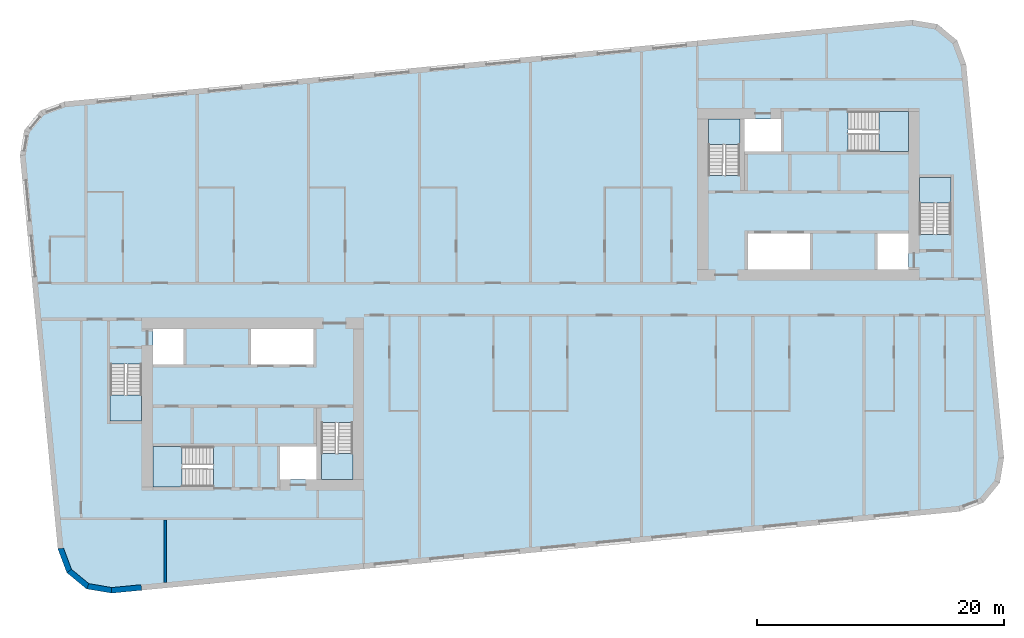
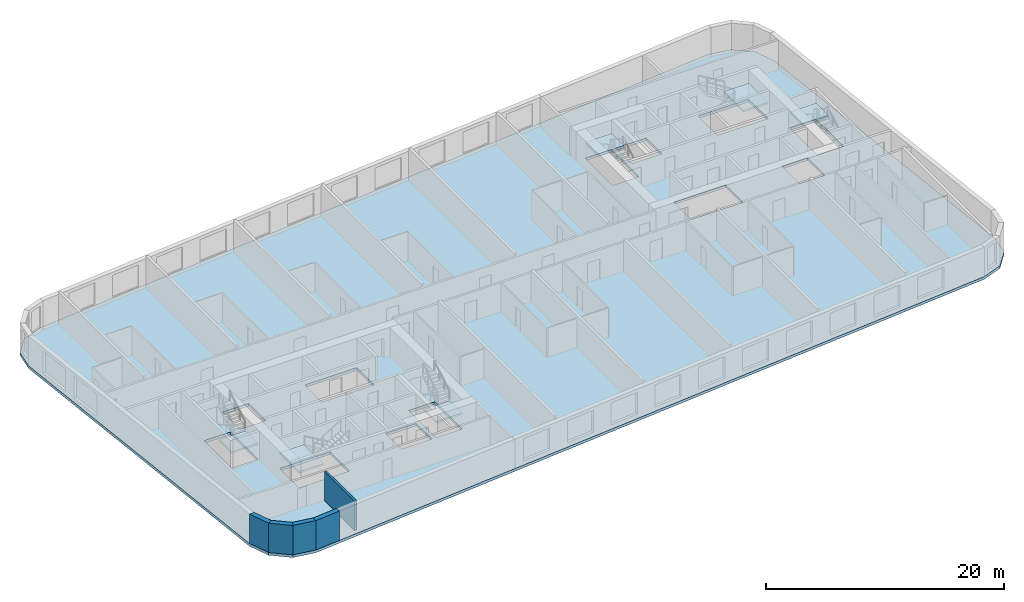
# One storey, part 1 of 11: 7 slabs, 5 walls, 6 elements without a shape of their own.
"""IFC4 building model written with IfcOpenShell, lengths in metres."""

import ifcopenshell
import ifcopenshell.guid

model = None  # the IFC model being written
_history = None  # IfcOwnerHistory: only IFC2X3 demands one
_inside = {}  # id of a spatial element -> (the spatial element, [elements in it])
_under = {}  # id of a project, library or spatial element -> (it, [spatial elements below it])
_declared = {}  # id of a project -> (the project, [libraries it declares])
_typed = {}  # id of a type object -> (the type object, [elements of that type])
_made_of = {}  # id of a material, layer set ... -> (it, [elements and type objects made of it])


def new_model(schema):
    """Start an empty IFC model of exactly this schema.

    Asked for "IFC4X3", IfcOpenShell would pick the latest addendum, in which some entities
    have other attributes; the version numbers below select the first issue.
    IFC2X3 requires an IfcOwnerHistory on every rooted entity: one is made here for all.
    """
    global model, _history
    if schema == "IFC4X3":
        model = ifcopenshell.file(schema_version=(4, 3, 0, 0))
    else:
        model = ifcopenshell.file(schema=schema)
    _inside.clear()
    _under.clear()
    _declared.clear()
    _typed.clear()
    _made_of.clear()
    _history = None
    if model.schema == "IFC2X3":
        org = make("IfcOrganization", Name="unknown")
        user = make(
            "IfcPersonAndOrganization",
            ThePerson=make("IfcPerson", FamilyName="unknown"),
            TheOrganization=org,
        )
        app = make(
            "IfcApplication",
            ApplicationDeveloper=org,
            Version="unknown",
            ApplicationFullName="unknown",
            ApplicationIdentifier="unknown",
        )
        _history = make(
            "IfcOwnerHistory",
            OwningUser=user,
            OwningApplication=app,
            ChangeAction="ADDED",
            CreationDate=0,
        )
    return model


def make(cls, **values):
    """One entity of the class cls with the attributes given. An attribute that is None is left unset."""
    return model.create_entity(
        cls, **{name: value for name, value in values.items() if value is not None}
    )


def rooted(cls, **values):
    """An entity with a GlobalId (a new one), such as an element, a storey or a relation."""
    return make(cls, GlobalId=ifcopenshell.guid.new(), OwnerHistory=_history, **values)


def si_unit(unit_type, name, prefix=None):
    """IfcSIUnit, for example si_unit("LENGTHUNIT", "METRE", prefix="MILLI")."""
    return make("IfcSIUnit", UnitType=unit_type, Prefix=prefix, Name=name)


def assignment(units):
    """IfcUnitAssignment: the units of a project."""
    return None if units is None else make("IfcUnitAssignment", Units=units)


def point(xyz):
    """IfcCartesianPoint."""
    return None if xyz is None else make("IfcCartesianPoint", Coordinates=xyz)


def direction(xyz):
    """IfcDirection."""
    return None if xyz is None else make("IfcDirection", DirectionRatios=xyz)


def frame(location, z_axis=None, x_axis=None):
    """IfcAxis2Placement3D, a coordinate frame: its origin and axes. An axis left out is left unset."""
    return make(
        "IfcAxis2Placement3D",
        Location=point(location),
        Axis=direction(z_axis),
        RefDirection=direction(x_axis),
    )


def frame_2d(location, x_axis=None):
    """IfcAxis2Placement2D, a coordinate frame in the plane: its origin and x axis."""
    return make(
        "IfcAxis2Placement2D", Location=point(location), RefDirection=direction(x_axis)
    )


def origin():
    """The frame at (0, 0, 0) with its axes left unset."""
    return frame((0.0, 0.0, 0.0))


def place(relative_to, where):
    """IfcLocalPlacement: puts the frame where relative to a parent placement (None: the world)."""
    return make(
        "IfcLocalPlacement", PlacementRelTo=relative_to, RelativePlacement=where
    )


def context(
    kind, dimensions, precision=None, world=None, true_north=None, identifier=None
):
    """IfcGeometricRepresentationContext, for example the 3D "Model" context."""
    return make(
        "IfcGeometricRepresentationContext",
        ContextIdentifier=identifier,
        ContextType=kind,
        CoordinateSpaceDimension=dimensions,
        Precision=precision,
        WorldCoordinateSystem=world,
        TrueNorth=true_north,
    )


def subcontext(parent, identifier, kind, view, scale=None):
    """IfcGeometricRepresentationSubContext, for example "Body" below "Model"."""
    return make(
        "IfcGeometricRepresentationSubContext",
        ContextIdentifier=identifier,
        ContextType=kind,
        ParentContext=parent,
        TargetScale=scale,
        TargetView=view,
    )


def project(units=None, contexts=None):
    """IfcProject with its units and contexts."""
    return rooted(
        "IfcProject",
        Name="project",
        RepresentationContexts=contexts,
        UnitsInContext=assignment(units),
    )


def spatial(cls, under=None, at=None, **own):
    """A site, building, storey or space (cls), placed at a placement, below another one or the project."""
    s = rooted(cls, ObjectPlacement=at, **own)
    if under is not None:
        _under.setdefault(under.id(), (under, []))[1].append(s)
    return s


def polyline(points):
    """IfcPolyline through the points."""
    return make("IfcPolyline", Points=[point(p) for p in points])


def profile(cls, at=None, kind="AREA", **sizes):
    """A parametric profile (cls). Its sizes go by their IFC names, for example OverallWidth=200.0."""
    return make(cls, ProfileType=kind, Position=at, **sizes)


def rectangle(**sizes):
    """IfcRectangleProfileDef."""
    return profile("IfcRectangleProfileDef", **sizes)


def outline(outer, holes=None, kind="AREA"):
    """IfcArbitraryClosedProfileDef: a profile drawn as a closed curve; with holes, ...WithVoids."""
    if holes is None:
        return make("IfcArbitraryClosedProfileDef", ProfileType=kind, OuterCurve=outer)
    return make(
        "IfcArbitraryProfileDefWithVoids",
        ProfileType=kind,
        OuterCurve=outer,
        InnerCurves=holes,
    )


def extrude(swept, where, along, depth):
    """IfcExtrudedAreaSolid: the profile swept, set in the frame where, extruded along a direction by depth."""
    return make(
        "IfcExtrudedAreaSolid",
        SweptArea=swept,
        Position=where,
        ExtrudedDirection=direction(along),
        Depth=depth,
    )


def shape(context_of_items, identifier, shape_type, items):
    """IfcShapeRepresentation: the items that make up one representation, for example the "Body"."""
    return make(
        "IfcShapeRepresentation",
        ContextOfItems=context_of_items,
        RepresentationIdentifier=identifier,
        RepresentationType=shape_type,
        Items=items,
    )


def material(Name=None, Category=None):
    """IfcMaterial."""
    return make("IfcMaterial", Name=Name, Category=Category)


def layer(
    of_material, thickness, ventilated=None, Name=None, Category=None, Priority=None
):
    """IfcMaterialLayer: one layer of a wall or slab, of a material (None: an air gap)."""
    return make(
        "IfcMaterialLayer",
        Material=of_material,
        LayerThickness=thickness,
        IsVentilated=ventilated,
        Name=Name,
        Category=Category,
        Priority=Priority,
    )


def layer_set(layers, Name=None):
    """IfcMaterialLayerSet."""
    return make("IfcMaterialLayerSet", MaterialLayers=layers, LayerSetName=Name)


def made_of(thing, what):
    """Note that an element or type object is made of a material, layer set ...; save() writes the relation."""
    if what is not None:
        _made_of.setdefault(what.id(), (what, []))[1].append(thing)
    return thing


def type_object(cls, material=None, **own):
    """A type object (cls), such as IfcWallType, which elements share."""
    return made_of(rooted(cls, **own), material)


def element(
    cls,
    number,
    at=None,
    inside=None,
    cuts=None,
    type_object=None,
    material=None,
    context=None,
    identifier="Body",
    shape_type=None,
    held_by="IfcProductDefinitionShape",
    body=None,
    shapes=None,
    **own,
):
    """One element of the class cls, such as IfcWall. Its Tag is "e" and its number.

    at: its placement. inside: the storey or other place that contains it. cuts: it is an
    opening in that element (IfcRelVoidsElement). A single representation is given by context,
    identifier, shape_type and body (its items); several are given by shapes. held_by: the class
    of the entity that holds the representations. save() writes the other relations.
    """
    e = rooted(cls, Tag="e%d" % number, ObjectPlacement=at, **own)
    if body is not None:
        shapes = [shape(context, identifier, shape_type, body)]
    if shapes is not None:
        e.Representation = make(held_by, Representations=shapes)
    if inside is not None:
        _inside.setdefault(inside.id(), (inside, []))[1].append(e)
    if cuts is not None:
        rooted(
            "IfcRelVoidsElement", RelatingBuildingElement=cuts, RelatedOpeningElement=e
        )
    if type_object is not None:
        _typed.setdefault(type_object.id(), (type_object, []))[1].append(e)
    return made_of(e, material)


def aggregate(whole, parts):
    """IfcRelAggregates: a whole, such as a stair, and the parts it consists of."""
    return rooted("IfcRelAggregates", RelatingObject=whole, RelatedObjects=parts)


def save(model, path):
    """Write the relations noted so far, then the file.

    IfcRelAggregates (storeys below a building ...), IfcRelContainedInSpatialStructure (elements
    in a storey), IfcRelDefinesByType, IfcRelAssociatesMaterial and IfcRelDeclares: one each for
    every whole, place, type object, material and project.
    """
    for whole, parts in _under.values():
        aggregate(whole, parts)
    for where, things in _inside.values():
        rooted(
            "IfcRelContainedInSpatialStructure",
            RelatedElements=things,
            RelatingStructure=where,
        )
    for kind, things in _typed.values():
        rooted("IfcRelDefinesByType", RelatedObjects=things, RelatingType=kind)
    for what, things in _made_of.values():
        rooted("IfcRelAssociatesMaterial", RelatedObjects=things, RelatingMaterial=what)
    for by, libraries in _declared.values():
        rooted("IfcRelDeclares", RelatingContext=by, RelatedDefinitions=libraries)
    model.write(path)


model = new_model("IFC4")

# Units and contexts
model_context = context("Model", 3, precision=1e-05, world=origin(), true_north=direction((0.0, 1.0)))
body_context = subcontext(model_context, "Body", "Model", "MODEL_VIEW")
ifc_project = project(units=[si_unit("LENGTHUNIT", "METRE"), si_unit("AREAUNIT", "SQUARE_METRE"), si_unit("VOLUMEUNIT", "CUBIC_METRE"), si_unit("PLANEANGLEUNIT", "RADIAN"), si_unit("MASSUNIT", "GRAM", prefix="KILO")], contexts=[model_context])

# Site, building, storey
site_placement = place(None, origin())
site = spatial("IfcSite", under=ifc_project, at=site_placement, CompositionType="ELEMENT")
building_placement = place(site_placement, origin())
building = spatial("IfcBuilding", under=site, at=building_placement, Name="Kajstack Hotel Tower", CompositionType="ELEMENT")
storey_placement = place(building_placement, frame((0.0, 0.0, 275.10009765625)))
storey = spatial("IfcBuildingStorey", under=building, at=storey_placement, Name="L68", CompositionType="ELEMENT", Elevation=275.10009765625)

# Slab
ifc_material_1 = material(Name="Concrete C40/50", Category="concrete")
ifc_layer_1 = layer(ifc_material_1, 0.280029296875)
ifc_layer_set_1 = layer_set([ifc_layer_1], Name="RC slab 280 C40/50 guest")
slab_type_1 = type_object("IfcSlabType", Name="RC slab 280 C40/50 guest", PredefinedType="FLOOR", material=ifc_layer_set_1)
slab_1_placement = place(storey_placement, frame((0.0, 0.0, -0.280029296875)))
element("IfcSlab", 1, at=slab_1_placement, inside=storey, type_object=slab_type_1, Name="S-slab-L68", PredefinedType="FLOOR", context=body_context, shape_type="SweptSolid", body=[
    extrude(outline(polyline([(-41.356201171875, 11.63623046875), (-38.289306640625, -20.21630859375), (-37.564208984375, -22.15576171875), (-35.96630859375, -23.472900390625), (-33.92431640625, -23.814697265625), (34.758056640625, -17.201171875), (36.697509765625, -16.47607421875), (38.014404296875, -14.87841796875), (38.356201171875, -12.836181640625), (35.289306640625, 19.016357421875), (34.564208984375, 20.955810546875), (32.96630859375, 22.27294921875), (30.92431640625, 22.614501953125), (-37.758056640625, 16.001220703125), (-39.697509765625, 15.276123046875), (-41.014404296875, 13.678466796875), (-41.356201171875, 11.63623046875)]), holes=[polyline([(-22.64990234375, -5.300048828125), (-22.64990234375, -2.39990234375), (-17.60009765625, -2.39990234375), (-17.60009765625, -5.300048828125), (-22.64990234375, -5.300048828125)]), polyline([(-20.300048828125, -14.60009765625), (-17.35009765625, -14.60009765625), (-17.35009765625, -11.949951171875), (-20.300048828125, -11.949951171875), (-20.300048828125, -14.60009765625)]), polyline([(-30.60009765625, -5.300048828125), (-28.10009765625, -5.300048828125), (-28.10009765625, -2.39990234375), (-30.60009765625, -2.39990234375), (-30.60009765625, -5.300048828125)]), polyline([(17.60009765625, 2.39990234375), (17.60009765625, 5.300048828125), (22.64990234375, 5.300048828125), (22.64990234375, 2.39990234375), (17.60009765625, 2.39990234375)]), polyline([(20.300048828125, 14.60009765625), (17.35009765625, 14.60009765625), (17.35009765625, 11.949951171875), (20.300048828125, 11.949951171875), (20.300048828125, 14.60009765625)]), polyline([(30.60009765625, 5.300048828125), (28.10009765625, 5.300048828125), (28.10009765625, 2.39990234375), (30.60009765625, 2.39990234375), (30.60009765625, 5.300048828125)]), polyline([(-34.050048828125, -9.85009765625), (-31.5, -9.85009765625), (-31.5, -5.25), (-34.050048828125, -5.25), (-34.050048828125, -9.85009765625)]), polyline([(-16.949951171875, -14.60009765625), (-14.39990234375, -14.60009765625), (-14.39990234375, -10.0), (-16.949951171875, -10.0), (-16.949951171875, -14.60009765625)]), polyline([(-30.60009765625, -15.199951171875), (-25.699951171875, -15.199951171875), (-25.699951171875, -11.949951171875), (-30.60009765625, -11.949951171875), (-30.60009765625, -15.199951171875)]), polyline([(34.050048828125, 9.85009765625), (31.5, 9.85009765625), (31.5, 5.25), (34.050048828125, 5.25), (34.050048828125, 9.85009765625)]), polyline([(16.949951171875, 14.60009765625), (14.39990234375, 14.60009765625), (14.39990234375, 10.0), (16.949951171875, 10.0), (16.949951171875, 14.60009765625)]), polyline([(30.60009765625, 15.199951171875), (25.699951171875, 15.199951171875), (25.699951171875, 11.949951171875), (30.60009765625, 11.949951171875), (30.60009765625, 15.199951171875)])]), origin(), (0.0, 0.0, 1.0), 0.280029296875),
])

# Stair, slab
stair_type_1 = type_object("IfcStairType", Name="Exit stair 1200", PredefinedType="HALF_TURN_STAIR", material=ifc_material_1)
stair_1_placement = place(storey_placement, origin())
stair_1 = element("IfcStair", 2, at=stair_1_placement, inside=storey, type_object=stair_type_1, Name="L68 stair W1", PredefinedType="HALF_TURN_STAIR")
ifc_layer_2 = layer(ifc_material_1, 0.199951171875)
ifc_layer_set_2 = layer_set([ifc_layer_2], Name="Stair landing 200")
slab_type_2 = type_object("IfcSlabType", Name="Stair landing 200", PredefinedType="LANDING", material=ifc_layer_set_2)
slab_2_placement = place(storey_placement, frame((0.0, 0.0, 1.449951171875)))
slab_2 = element("IfcSlab", 3, at=slab_2_placement, type_object=slab_type_2, Name="W1 landing 1", PredefinedType="LANDING", context=body_context, shape_type="SweptSolid", body=[
    extrude(outline(polyline([(-34.050048828125, -7.77001953125), (-34.050048828125, -9.85009765625), (-31.5, -9.85009765625), (-31.5, -7.77001953125), (-34.050048828125, -7.77001953125)])), origin(), (0.0, 0.0, 1.0), 0.199951171875),
])
aggregate(stair_1, [slab_2])

stair_2_placement = place(storey_placement, origin())
stair_2 = element("IfcStair", 4, at=stair_2_placement, inside=storey, type_object=stair_type_1, Name="L68 stair W2", PredefinedType="HALF_TURN_STAIR")
slab_3_placement = place(storey_placement, frame((0.0, 0.0, 1.449951171875)))
slab_3 = element("IfcSlab", 5, at=slab_3_placement, type_object=slab_type_2, Name="W2 landing 1", PredefinedType="LANDING", context=body_context, shape_type="SweptSolid", body=[
    extrude(outline(polyline([(-16.949951171875, -12.52001953125), (-16.949951171875, -14.60009765625), (-14.39990234375, -14.60009765625), (-14.39990234375, -12.52001953125), (-16.949951171875, -12.52001953125)])), origin(), (0.0, 0.0, 1.0), 0.199951171875),
])
aggregate(stair_2, [slab_3])

stair_type_2 = type_object("IfcStairType", Name="Exit stair 1500", PredefinedType="HALF_TURN_STAIR", material=ifc_material_1)
stair_3_placement = place(storey_placement, origin())
stair_3 = element("IfcStair", 6, at=stair_3_placement, inside=storey, type_object=stair_type_2, Name="L68 stair W3", PredefinedType="HALF_TURN_STAIR")
slab_4_placement = place(storey_placement, frame((0.0, 0.0, 1.449951171875)))
slab_4 = element("IfcSlab", 7, at=slab_4_placement, type_object=slab_type_2, Name="W3 landing 1", PredefinedType="LANDING", context=body_context, shape_type="SweptSolid", body=[
    extrude(outline(polyline([(-28.219970703125, -11.949951171875), (-30.60009765625, -11.949951171875), (-30.60009765625, -15.199951171875), (-28.219970703125, -15.199951171875), (-28.219970703125, -11.949951171875)])), origin(), (0.0, 0.0, 1.0), 0.199951171875),
])
aggregate(stair_3, [slab_4])

stair_4_placement = place(storey_placement, origin())
stair_4 = element("IfcStair", 8, at=stair_4_placement, inside=storey, type_object=stair_type_1, Name="L68 stair E1", PredefinedType="HALF_TURN_STAIR")
slab_5_placement = place(storey_placement, frame((0.0, 0.0, 1.449951171875)))
slab_5 = element("IfcSlab", 9, at=slab_5_placement, type_object=slab_type_2, Name="E1 landing 1", PredefinedType="LANDING", context=body_context, shape_type="SweptSolid", body=[
    extrude(outline(polyline([(34.050048828125, 7.77001953125), (34.050048828125, 9.85009765625), (31.5, 9.85009765625), (31.5, 7.77001953125), (34.050048828125, 7.77001953125)])), origin(), (0.0, 0.0, 1.0), 0.199951171875),
])
aggregate(stair_4, [slab_5])

stair_5_placement = place(storey_placement, origin())
stair_5 = element("IfcStair", 10, at=stair_5_placement, inside=storey, type_object=stair_type_1, Name="L68 stair E2", PredefinedType="HALF_TURN_STAIR")
slab_6_placement = place(storey_placement, frame((0.0, 0.0, 1.449951171875)))
slab_6 = element("IfcSlab", 11, at=slab_6_placement, type_object=slab_type_2, Name="E2 landing 1", PredefinedType="LANDING", context=body_context, shape_type="SweptSolid", body=[
    extrude(outline(polyline([(16.949951171875, 12.52001953125), (16.949951171875, 14.60009765625), (14.39990234375, 14.60009765625), (14.39990234375, 12.52001953125), (16.949951171875, 12.52001953125)])), origin(), (0.0, 0.0, 1.0), 0.199951171875),
])
aggregate(stair_5, [slab_6])

stair_6_placement = place(storey_placement, origin())
stair_6 = element("IfcStair", 12, at=stair_6_placement, inside=storey, type_object=stair_type_2, Name="L68 stair E3", PredefinedType="HALF_TURN_STAIR")
slab_7_placement = place(storey_placement, frame((0.0, 0.0, 1.449951171875)))
slab_7 = element("IfcSlab", 13, at=slab_7_placement, type_object=slab_type_2, Name="E3 landing 1", PredefinedType="LANDING", context=body_context, shape_type="SweptSolid", body=[
    extrude(outline(polyline([(28.219970703125, 11.949951171875), (30.60009765625, 11.949951171875), (30.60009765625, 15.199951171875), (28.219970703125, 15.199951171875), (28.219970703125, 11.949951171875)])), origin(), (0.0, 0.0, 1.0), 0.199951171875),
])
aggregate(stair_6, [slab_7])

# Walls
ifc_material_2 = material(Name="Terracotta-faced brick masonry", Category="masonry")
ifc_layer_3 = layer(ifc_material_2, 0.449951171875)
ifc_layer_set_3 = layer_set([ifc_layer_3], Name="EW-TERRA")
wall_type_1 = type_object("IfcWallType", Name="EW-TERRA", PredefinedType="SOLIDWALL", material=ifc_layer_set_3)
wall_1_placement = place(storey_placement, frame((-38.078369140625, -20.1376953125, 0.0), z_axis=(0.0, 0.0, 1.0), x_axis=(0.350231589928, -0.936663137642, 0.0)))
element("IfcWall", 14, at=wall_1_placement, inside=storey, type_object=wall_type_1, Name="E-wall-L68-01-00", PredefinedType="SOLIDWALL", context=body_context, shape_type="SweptSolid", body=[
    extrude(outline(polyline([(0.0, -0.22509765625), (2.0703125, -0.22509765625), (1.949951171875, 0.224853515625), (0.120361328125, 0.224853515625), (0.0, -0.22509765625)])), origin(), (0.0, 0.0, 1.0), 3.02001953125),
])
wall_2_placement = place(storey_placement, frame((-37.4208984375, -21.982177734375, 0.0), z_axis=(0.0, 0.0, 1.0), x_axis=(0.771593176315, -0.636116318187, 0.0)))
element("IfcWall", 15, at=wall_2_placement, inside=storey, type_object=wall_type_1, Name="E-wall-L68-02-00", PredefinedType="SOLIDWALL", context=body_context, shape_type="SweptSolid", body=[
    extrude(outline(polyline([(0.0, -0.22509765625), (2.070556640625, -0.22509765625), (1.949951171875, 0.22509765625), (0.12060546875, 0.224853515625), (0.0, -0.22509765625)])), origin(), (0.0, 0.0, 1.0), 3.02001953125),
])
wall_3_placement = place(storey_placement, frame((-35.92919921875, -23.2509765625, 0.0), z_axis=(0.0, 0.0, 1.0), x_axis=(0.986278951104, -0.165087342366, 0.0)))
element("IfcWall", 16, at=wall_3_placement, inside=storey, type_object=wall_type_1, Name="E-wall-L68-03-00", PredefinedType="SOLIDWALL", context=body_context, shape_type="SweptSolid", body=[
    extrude(outline(polyline([(0.0, -0.22509765625), (2.070556640625, -0.224853515625), (1.949951171875, 0.22509765625), (0.12060546875, 0.22509765625), (0.0, -0.22509765625)])), origin(), (0.0, 0.0, 1.0), 3.02001953125),
])
wall_4_placement = place(storey_placement, frame((-33.94580078125, -23.590576171875, 0.0), z_axis=(0.0, 0.0, 1.0), x_axis=(0.995397635156, 0.095830829729, 0.0)))
element("IfcWall", 17, at=wall_4_placement, inside=storey, type_object=wall_type_1, Name="E-wall-L68-04-00", PredefinedType="SOLIDWALL", context=body_context, shape_type="SweptSolid", body=[
    extrude(rectangle(XDim=2.435546875, YDim=0.449951171875, at=frame_2d((1.2177734375, 0.0))), origin(), (0.0, 0.0, 1.0), 3.02001953125),
])
ifc_material_3 = material(Name="Gypsum board on steel studs, mineral wool", Category="steel")
ifc_layer_4 = layer(ifc_material_3, 0.199951171875)
ifc_layer_set_4 = layer_set([ifc_layer_4], Name="Service partition 200")
wall_type_2 = type_object("IfcWallType", Name="Service partition 200", PredefinedType="PARTITIONING", material=ifc_layer_set_4)
wall_5_placement = place(storey_placement, frame((-29.60009765625, -22.947021484375, 0.0), z_axis=(0.0, 0.0, 1.0), x_axis=(0.0, 1.0, 0.0)))
element("IfcWall", 18, at=wall_5_placement, inside=storey, type_object=wall_type_2, Name="Partition W SLP0", PredefinedType="PARTITIONING", context=body_context, shape_type="SweptSolid", body=[
    extrude(rectangle(XDim=5.047119140625, YDim=0.199951171875, at=frame_2d((2.5234375, 0.0))), origin(), (0.0, 0.0, 1.0), 3.02001953125),
])

save(model, "model.ifc")
